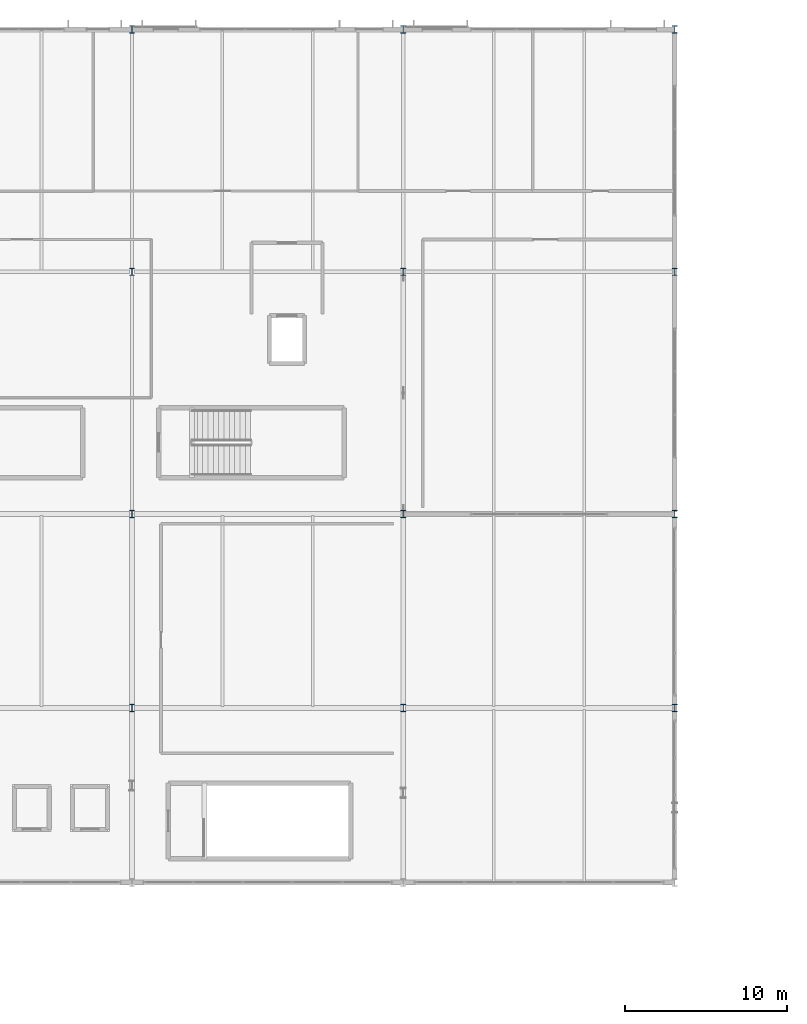
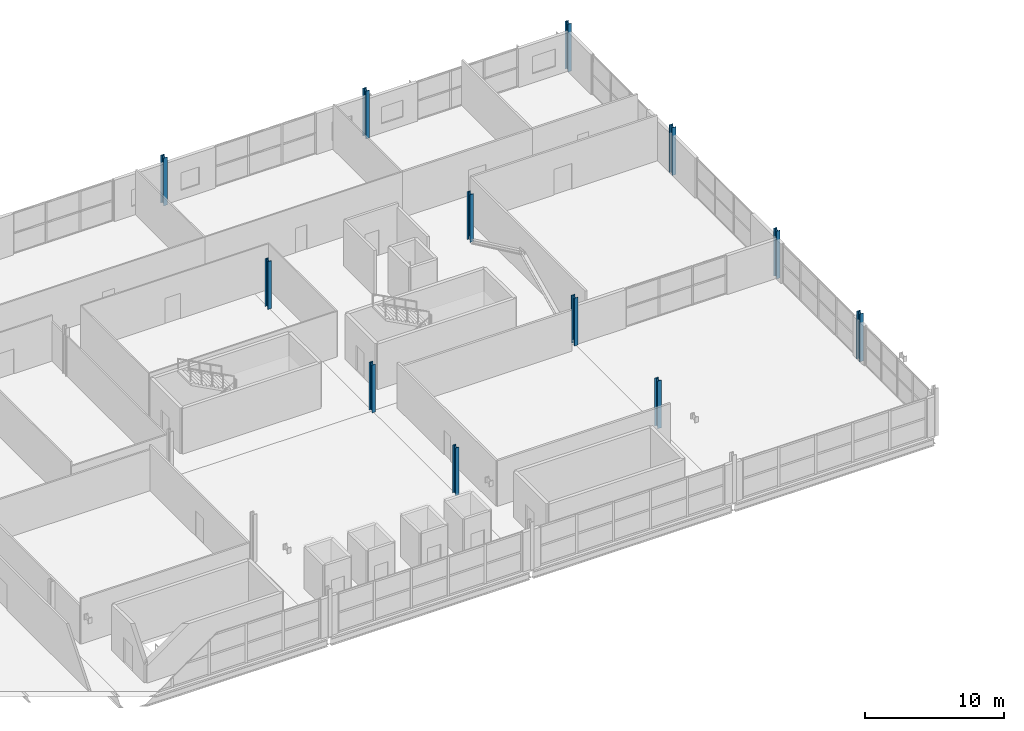
# One storey, part 6 of 39: 12 columns.
"""IFC4 building model written with IfcOpenShell, lengths in metres."""

from ifc_helpers import new_model, si_unit, direction, frame, origin, origin_2d, place, context, subcontext, project, spatial, i_section, extrude, material, material_profile, profile_set, type_object, element, save


model = new_model("IFC4")

# Units and contexts
model_context = context("Model", 3, precision=1e-05, world=origin(), true_north=direction((0.0, 1.0)))
body_context = subcontext(model_context, "Body", "Model", "MODEL_VIEW")
ifc_project = project(units=[si_unit("LENGTHUNIT", "METRE"), si_unit("AREAUNIT", "SQUARE_METRE"), si_unit("VOLUMEUNIT", "CUBIC_METRE"), si_unit("PLANEANGLEUNIT", "RADIAN"), si_unit("MASSUNIT", "GRAM", prefix="KILO")], contexts=[model_context])

# Site, building, storey
site_placement = place(None, origin())
site = spatial("IfcSite", under=ifc_project, at=site_placement, CompositionType="ELEMENT")
building_placement = place(site_placement, origin())
building = spatial("IfcBuilding", under=site, at=building_placement, Name="Kimbaza Rail Terminus", CompositionType="ELEMENT")
storey_placement = place(building_placement, frame((0.0, 0.0, 16.800048828125)))
storey = spatial("IfcBuildingStorey", under=building, at=storey_placement, Name="L03", CompositionType="ELEMENT", Elevation=16.800048828125)

# Columns
ifc_material = material(Name="Steel S355", Category="steel")
ifc_material_profile = material_profile(ifc_material, i_section(OverallWidth=0.300048828125, OverallDepth=0.449951171875, WebThickness=0.013916015625, FlangeThickness=0.02587890625, FilletRadius=0.027099609375, at=origin_2d()), Name="HEB 450")
ifc_profile_set = profile_set([ifc_material_profile], Name="Steel S355")
column_type = type_object("IfcColumnType", Name="STR-COL-HEB450", PredefinedType="COLUMN", material=ifc_profile_set)
for number, where, z_axis, x_axis, name in (
    (1, (122.39990234375, 103.0, 0.0), (0.0, 0.0, 1.0), (1.0, 0.0, 0.0), "Operations Column L03 (4,0)"),
    (2, (122.39990234375, 118.0, 0.0), (0.0, 0.0, 1.0), (1.0, 0.0, 0.0), "Operations Column L03 (4,1)"),
    (3, (122.39990234375, 133.0, 0.0), (0.0, 0.0, 1.0), (1.0, 0.0, 0.0), "Operations Column L03 (4,2)"),
    (4, (139.199951171875, 103.0, 0.0), (0.0, 0.0, 1.0), (1.0, 0.0, 0.0), "Operations Column L03 (5,0)"),
    (5, (139.199951171875, 118.0, 0.0), (0.0, 0.0, 1.0), (1.0, 0.0, 0.0), "Operations Column L03 (5,1)"),
    (6, (139.199951171875, 133.0, 0.0), (0.0, 0.0, 1.0), (1.0, 0.0, 0.0), "Operations Column L03 (5,2)"),
    (7, (156.0, 103.0, 0.0), (0.0, 0.0, 1.0), (1.0, 0.0, 0.0), "Operations Column L03 (6,0)"),
    (8, (156.0, 118.0, 0.0), (0.0, 0.0, 1.0), (1.0, 0.0, 0.0), "Operations Column L03 (6,1)"),
    (9, (156.0, 133.0, 0.0), (0.0, 0.0, 1.0), (1.0, 0.0, 0.0), "Operations Column L03 (6,2)"),
    (10, (122.39990234375, 91.0, 0.0), (0.0, 0.0, 1.0), (1.0, 0.0, 0.0), "North Transfer Pier L03 (4,1)"),
    (11, (139.199951171875, 91.0, 0.0), (0.0, 0.0, 1.0), (1.0, 0.0, 0.0), "North Transfer Pier L03 (5,1)"),
    (12, (156.0, 91.0, 0.0), (0.0, 0.0, 1.0), (1.0, 0.0, 0.0), "North Transfer Pier L03 (6,1)"),
):
    element("IfcColumn", number, at=place(storey_placement, frame(where, z_axis=z_axis, x_axis=x_axis)), inside=storey, type_object=column_type, Name=name, PredefinedType="COLUMN", context=body_context, shape_type="SweptSolid", body=[
        extrude(i_section(OverallWidth=0.300048828125, OverallDepth=0.449951171875, WebThickness=0.013916015625, FlangeThickness=0.02587890625, FilletRadius=0.027099609375, at=origin_2d()), origin(), (0.0, 0.0, 1.0), 4.199951171875),
    ])

save(model, "model.ifc")
